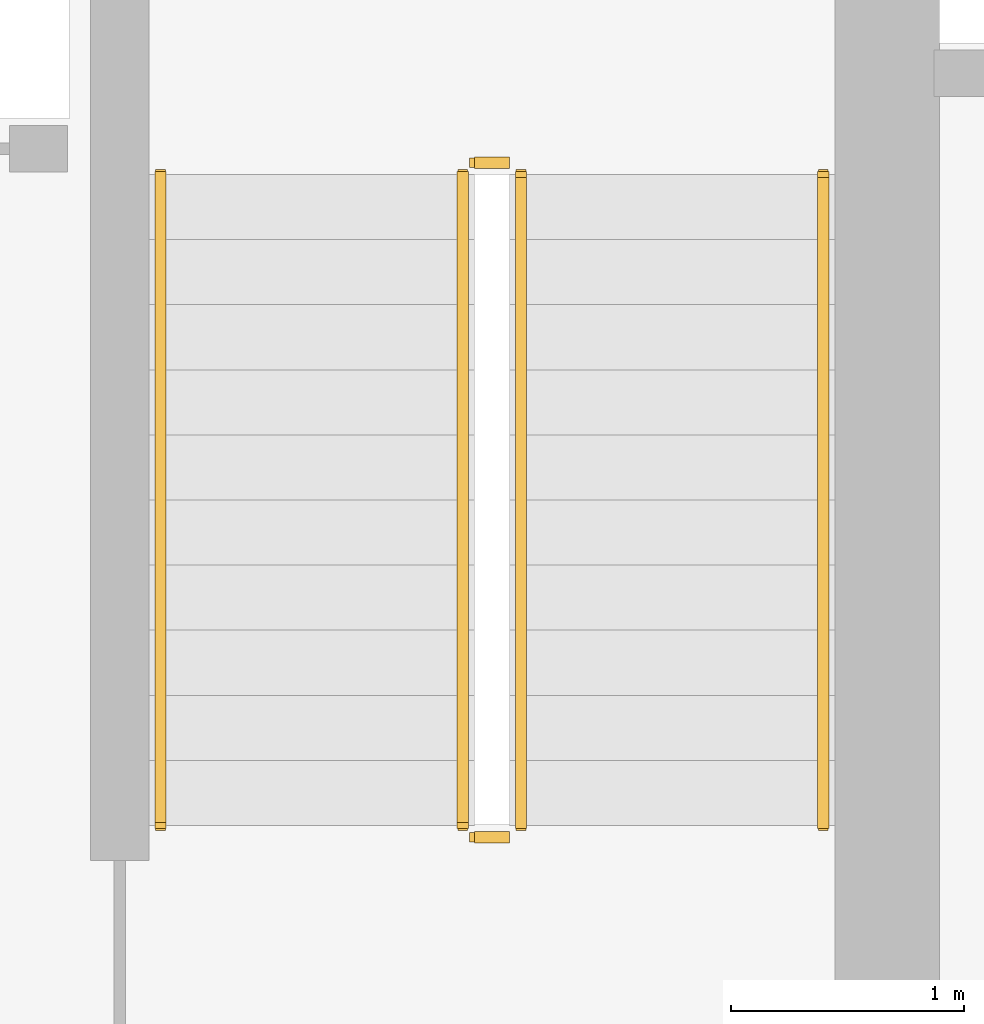
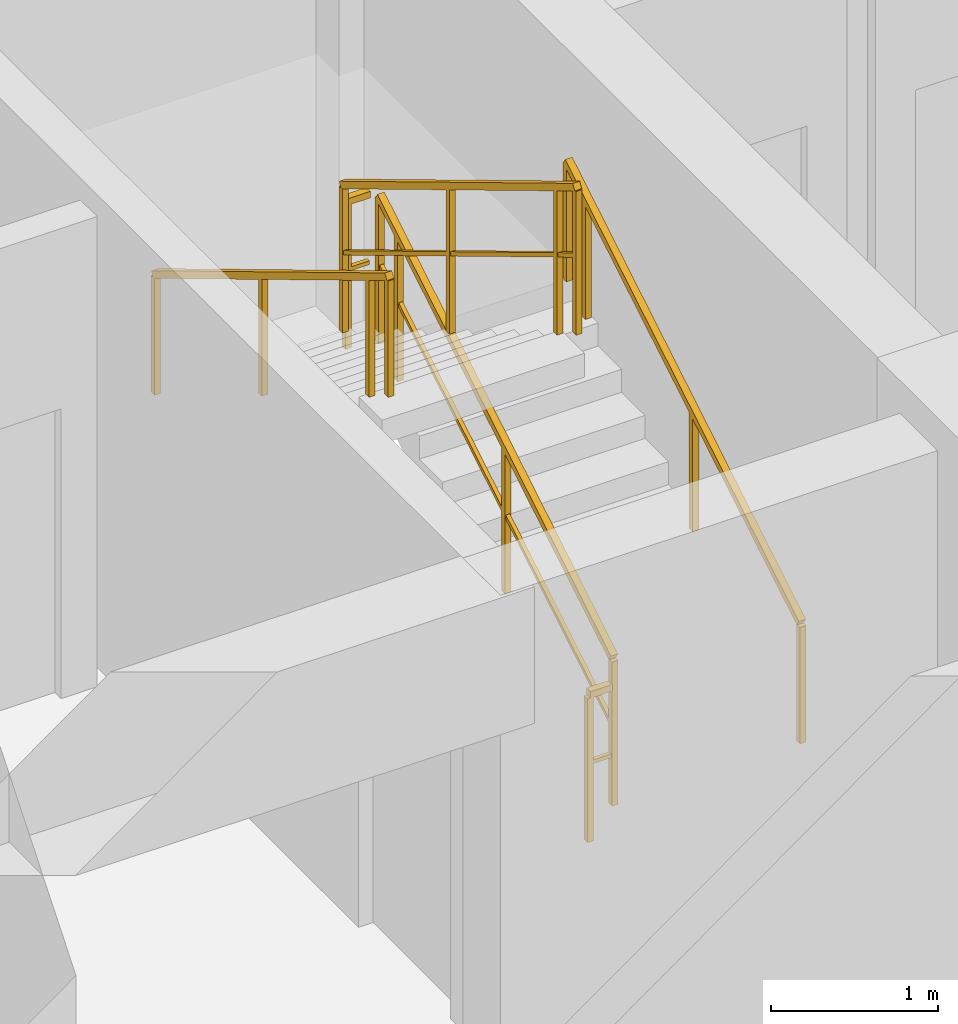
# One storey, part 11 of 12: 6 railings.
"""IFC4 building model written with IfcOpenShell, lengths in metres."""

import ifcopenshell
import ifcopenshell.guid

model = None  # the IFC model being written
_history = None  # IfcOwnerHistory: only IFC2X3 demands one
_inside = {}  # id of a spatial element -> (the spatial element, [elements in it])
_under = {}  # id of a project, library or spatial element -> (it, [spatial elements below it])
_declared = {}  # id of a project -> (the project, [libraries it declares])
_typed = {}  # id of a type object -> (the type object, [elements of that type])
_made_of = {}  # id of a material, layer set ... -> (it, [elements and type objects made of it])


def new_model(schema):
    """Start an empty IFC model of exactly this schema.

    Asked for "IFC4X3", IfcOpenShell would pick the latest addendum, in which some entities
    have other attributes; the version numbers below select the first issue.
    IFC2X3 requires an IfcOwnerHistory on every rooted entity: one is made here for all.
    """
    global model, _history
    if schema == "IFC4X3":
        model = ifcopenshell.file(schema_version=(4, 3, 0, 0))
    else:
        model = ifcopenshell.file(schema=schema)
    _inside.clear()
    _under.clear()
    _declared.clear()
    _typed.clear()
    _made_of.clear()
    _history = None
    if model.schema == "IFC2X3":
        org = make("IfcOrganization", Name="unknown")
        user = make(
            "IfcPersonAndOrganization",
            ThePerson=make("IfcPerson", FamilyName="unknown"),
            TheOrganization=org,
        )
        app = make(
            "IfcApplication",
            ApplicationDeveloper=org,
            Version="unknown",
            ApplicationFullName="unknown",
            ApplicationIdentifier="unknown",
        )
        _history = make(
            "IfcOwnerHistory",
            OwningUser=user,
            OwningApplication=app,
            ChangeAction="ADDED",
            CreationDate=0,
        )
    return model


def make(cls, **values):
    """One entity of the class cls with the attributes given. An attribute that is None is left unset."""
    return model.create_entity(
        cls, **{name: value for name, value in values.items() if value is not None}
    )


def rooted(cls, **values):
    """An entity with a GlobalId (a new one), such as an element, a storey or a relation."""
    return make(cls, GlobalId=ifcopenshell.guid.new(), OwnerHistory=_history, **values)


def si_unit(unit_type, name, prefix=None):
    """IfcSIUnit, for example si_unit("LENGTHUNIT", "METRE", prefix="MILLI")."""
    return make("IfcSIUnit", UnitType=unit_type, Prefix=prefix, Name=name)


def assignment(units):
    """IfcUnitAssignment: the units of a project."""
    return None if units is None else make("IfcUnitAssignment", Units=units)


def point(xyz):
    """IfcCartesianPoint."""
    return None if xyz is None else make("IfcCartesianPoint", Coordinates=xyz)


def direction(xyz):
    """IfcDirection."""
    return None if xyz is None else make("IfcDirection", DirectionRatios=xyz)


def frame(location, z_axis=None, x_axis=None):
    """IfcAxis2Placement3D, a coordinate frame: its origin and axes. An axis left out is left unset."""
    return make(
        "IfcAxis2Placement3D",
        Location=point(location),
        Axis=direction(z_axis),
        RefDirection=direction(x_axis),
    )


def frame_2d(location, x_axis=None):
    """IfcAxis2Placement2D, a coordinate frame in the plane: its origin and x axis."""
    return make(
        "IfcAxis2Placement2D", Location=point(location), RefDirection=direction(x_axis)
    )


def origin():
    """The frame at (0, 0, 0) with its axes left unset."""
    return frame((0.0, 0.0, 0.0))


def origin_2d():
    """The frame at (0, 0) in the plane with its x axis left unset."""
    return frame_2d((0.0, 0.0))


def place(relative_to, where):
    """IfcLocalPlacement: puts the frame where relative to a parent placement (None: the world)."""
    return make(
        "IfcLocalPlacement", PlacementRelTo=relative_to, RelativePlacement=where
    )


def context(
    kind, dimensions, precision=None, world=None, true_north=None, identifier=None
):
    """IfcGeometricRepresentationContext, for example the 3D "Model" context."""
    return make(
        "IfcGeometricRepresentationContext",
        ContextIdentifier=identifier,
        ContextType=kind,
        CoordinateSpaceDimension=dimensions,
        Precision=precision,
        WorldCoordinateSystem=world,
        TrueNorth=true_north,
    )


def subcontext(parent, identifier, kind, view, scale=None):
    """IfcGeometricRepresentationSubContext, for example "Body" below "Model"."""
    return make(
        "IfcGeometricRepresentationSubContext",
        ContextIdentifier=identifier,
        ContextType=kind,
        ParentContext=parent,
        TargetScale=scale,
        TargetView=view,
    )


def project(units=None, contexts=None):
    """IfcProject with its units and contexts."""
    return rooted(
        "IfcProject",
        Name="project",
        RepresentationContexts=contexts,
        UnitsInContext=assignment(units),
    )


def spatial(cls, under=None, at=None, **own):
    """A site, building, storey or space (cls), placed at a placement, below another one or the project."""
    s = rooted(cls, ObjectPlacement=at, **own)
    if under is not None:
        _under.setdefault(under.id(), (under, []))[1].append(s)
    return s


def profile(cls, at=None, kind="AREA", **sizes):
    """A parametric profile (cls). Its sizes go by their IFC names, for example OverallWidth=200.0."""
    return make(cls, ProfileType=kind, Position=at, **sizes)


def rectangle(**sizes):
    """IfcRectangleProfileDef."""
    return profile("IfcRectangleProfileDef", **sizes)


def extrude(swept, where, along, depth):
    """IfcExtrudedAreaSolid: the profile swept, set in the frame where, extruded along a direction by depth."""
    return make(
        "IfcExtrudedAreaSolid",
        SweptArea=swept,
        Position=where,
        ExtrudedDirection=direction(along),
        Depth=depth,
    )


def shape(context_of_items, identifier, shape_type, items):
    """IfcShapeRepresentation: the items that make up one representation, for example the "Body"."""
    return make(
        "IfcShapeRepresentation",
        ContextOfItems=context_of_items,
        RepresentationIdentifier=identifier,
        RepresentationType=shape_type,
        Items=items,
    )


def material(Name=None, Category=None):
    """IfcMaterial."""
    return make("IfcMaterial", Name=Name, Category=Category)


def made_of(thing, what):
    """Note that an element or type object is made of a material, layer set ...; save() writes the relation."""
    if what is not None:
        _made_of.setdefault(what.id(), (what, []))[1].append(thing)
    return thing


def type_object(cls, material=None, **own):
    """A type object (cls), such as IfcWallType, which elements share."""
    return made_of(rooted(cls, **own), material)


def element(
    cls,
    number,
    at=None,
    inside=None,
    cuts=None,
    type_object=None,
    material=None,
    context=None,
    identifier="Body",
    shape_type=None,
    held_by="IfcProductDefinitionShape",
    body=None,
    shapes=None,
    **own,
):
    """One element of the class cls, such as IfcWall. Its Tag is "e" and its number.

    at: its placement. inside: the storey or other place that contains it. cuts: it is an
    opening in that element (IfcRelVoidsElement). A single representation is given by context,
    identifier, shape_type and body (its items); several are given by shapes. held_by: the class
    of the entity that holds the representations. save() writes the other relations.
    """
    e = rooted(cls, Tag="e%d" % number, ObjectPlacement=at, **own)
    if body is not None:
        shapes = [shape(context, identifier, shape_type, body)]
    if shapes is not None:
        e.Representation = make(held_by, Representations=shapes)
    if inside is not None:
        _inside.setdefault(inside.id(), (inside, []))[1].append(e)
    if cuts is not None:
        rooted(
            "IfcRelVoidsElement", RelatingBuildingElement=cuts, RelatedOpeningElement=e
        )
    if type_object is not None:
        _typed.setdefault(type_object.id(), (type_object, []))[1].append(e)
    return made_of(e, material)


def aggregate(whole, parts):
    """IfcRelAggregates: a whole, such as a stair, and the parts it consists of."""
    return rooted("IfcRelAggregates", RelatingObject=whole, RelatedObjects=parts)


def save(model, path):
    """Write the relations noted so far, then the file.

    IfcRelAggregates (storeys below a building ...), IfcRelContainedInSpatialStructure (elements
    in a storey), IfcRelDefinesByType, IfcRelAssociatesMaterial and IfcRelDeclares: one each for
    every whole, place, type object, material and project.
    """
    for whole, parts in _under.values():
        aggregate(whole, parts)
    for where, things in _inside.values():
        rooted(
            "IfcRelContainedInSpatialStructure",
            RelatedElements=things,
            RelatingStructure=where,
        )
    for kind, things in _typed.values():
        rooted("IfcRelDefinesByType", RelatedObjects=things, RelatingType=kind)
    for what, things in _made_of.values():
        rooted("IfcRelAssociatesMaterial", RelatedObjects=things, RelatingMaterial=what)
    for by, libraries in _declared.values():
        rooted("IfcRelDeclares", RelatingContext=by, RelatedDefinitions=libraries)
    model.write(path)


model = new_model("IFC4")

# Units and contexts
model_context = context("Model", 3, precision=1e-05, world=origin(), true_north=direction((0.0, 1.0)))
body_context = subcontext(model_context, "Body", "Model", "MODEL_VIEW")
ifc_project = project(units=[si_unit("LENGTHUNIT", "METRE"), si_unit("AREAUNIT", "SQUARE_METRE"), si_unit("VOLUMEUNIT", "CUBIC_METRE"), si_unit("PLANEANGLEUNIT", "RADIAN"), si_unit("MASSUNIT", "GRAM", prefix="KILO")], contexts=[model_context])

# Site, building, storey
site_placement = place(None, origin())
site = spatial("IfcSite", under=ifc_project, at=site_placement, CompositionType="ELEMENT")
building_placement = place(site_placement, origin())
building = spatial("IfcBuilding", under=site, at=building_placement, Name="Kaliganga Portal Commons", CompositionType="ELEMENT")
storey_placement = place(building_placement, frame((0.0, 0.0, 147.60009765625)))
storey = spatial("IfcBuildingStorey", under=building, at=storey_placement, Name="L37", CompositionType="ELEMENT", Elevation=147.60009765625)

# Railings
ifc_material_1 = material(Name="Galvanized Painted Steel Balustrade", Category="steel")
railing_type_1 = type_object("IfcRailingType", Name="RLG-STAIR-GRD", PredefinedType="GUARDRAIL", material=ifc_material_1)
railing_1_placement = place(storey_placement, frame((48.699951171875, 8.699951171875, 0.16796875)))
element("IfcRailing", 1, at=railing_1_placement, inside=storey, type_object=railing_type_1, Name="L37 ST-B2 stair guard 1", PredefinedType="GUARDRAIL", context=body_context, shape_type="SweptSolid", body=[
    extrude(rectangle(XDim=0.048095703125, YDim=0.048095703125, at=origin_2d()), frame((0.0, 0.0, 1.072021484375), z_axis=(0.0, 0.857242210791, 0.514913383045), x_axis=(-1.0, 0.0, 0.0)), (0.0, 0.0, 1.0), 3.266357421875),
    extrude(rectangle(XDim=0.028076171875, YDim=0.028076171875, at=origin_2d()), frame((0.0, 0.0, 0.572021484375), z_axis=(0.0, 0.857242210791, 0.514913383045), x_axis=(-1.0, 0.0, 0.0)), (0.0, 0.0, 1.0), 3.266357421875),
    extrude(rectangle(XDim=0.0419921875, YDim=0.0419921875, at=origin_2d()), origin(), (0.0, 0.0, 1.0), 1.052001953125),
    extrude(rectangle(XDim=0.0419921875, YDim=0.0419921875, at=origin_2d()), frame((0.0, 1.285888671875, 0.7724609375)), (0.0, 0.0, 1.0), 1.052001953125),
    extrude(rectangle(XDim=0.0419921875, YDim=0.0419921875, at=origin_2d()), frame((0.0, 2.57177734375, 1.544677734375)), (0.0, 0.0, 1.0), 1.052001953125),
    extrude(rectangle(XDim=0.0419921875, YDim=0.0419921875, at=origin_2d()), frame((0.0, 2.800048828125, 1.681884765625)), (0.0, 0.0, 1.0), 1.052001953125),
])
railing_2_placement = place(storey_placement, frame((48.64990234375, 11.550048828125, 1.849853515625)))
element("IfcRailing", 2, at=railing_2_placement, inside=storey, type_object=railing_type_1, Name="L37 ST-B2 stair guard 2", PredefinedType="GUARDRAIL", context=body_context, shape_type="SweptSolid", body=[
    extrude(rectangle(XDim=0.048095703125, YDim=0.048095703125, at=origin_2d()), frame((0.0, 0.0, 1.076171875), z_axis=(-1.0, 0.0, 0.0), x_axis=(0.0, -1.0, 0.0)), (0.0, 0.0, 1.0), 0.14990234375),
    extrude(rectangle(XDim=0.028076171875, YDim=0.028076171875, at=origin_2d()), frame((0.0, 0.0, 0.572021484375), z_axis=(-1.0, 0.0, 0.0), x_axis=(0.0, -1.0, 0.0)), (0.0, 0.0, 1.0), 0.14990234375),
    extrude(rectangle(XDim=0.0419921875, YDim=0.0419921875, at=origin_2d()), frame((-0.14990234375, 0.0, 0.0)), (0.0, 0.0, 1.0), 1.052001953125),
])
railing_3_placement = place(storey_placement, frame((48.449951171875, 11.5, 2.01806640625)))
element("IfcRailing", 3, at=railing_3_placement, inside=storey, type_object=railing_type_1, Name="L37 ST-B2 stair guard 3", PredefinedType="GUARDRAIL", context=body_context, shape_type="SweptSolid", body=[
    extrude(rectangle(XDim=0.048095703125, YDim=0.048095703125, at=origin_2d()), frame((0.0, 0.0, 1.072021484375), z_axis=(0.0, -0.857242210791, 0.514913383045), x_axis=(1.0, 0.0, 0.0)), (0.0, 0.0, 1.0), 3.266357421875),
    extrude(rectangle(XDim=0.028076171875, YDim=0.028076171875, at=origin_2d()), frame((0.0, 0.0, 0.572021484375), z_axis=(0.0, -0.857242210791, 0.514913383045), x_axis=(1.0, 0.0, 0.0)), (0.0, 0.0, 1.0), 3.266357421875),
    extrude(rectangle(XDim=0.0419921875, YDim=0.0419921875, at=origin_2d()), origin(), (0.0, 0.0, 1.0), 1.052001953125),
    extrude(rectangle(XDim=0.0419921875, YDim=0.0419921875, at=origin_2d()), frame((0.0, -1.285888671875, 0.7724609375)), (0.0, 0.0, 1.0), 1.052001953125),
    extrude(rectangle(XDim=0.0419921875, YDim=0.0419921875, at=origin_2d()), frame((0.0, -2.57177734375, 1.544677734375)), (0.0, 0.0, 1.0), 1.052001953125),
    extrude(rectangle(XDim=0.0419921875, YDim=0.0419921875, at=origin_2d()), frame((0.0, -2.800048828125, 1.681884765625)), (0.0, 0.0, 1.0), 1.052001953125),
])
railing_4_placement = place(storey_placement, frame((48.64990234375, 8.64990234375, 0.0)))
element("IfcRailing", 4, at=railing_4_placement, inside=storey, type_object=railing_type_1, Name="L37 ST-B2 stair guard 4", PredefinedType="GUARDRAIL", context=body_context, shape_type="SweptSolid", body=[
    extrude(rectangle(XDim=0.048095703125, YDim=0.048095703125, at=origin_2d()), frame((0.0, 0.0, 1.076171875), z_axis=(-1.0, 0.0, 0.0), x_axis=(0.0, -1.0, 0.0)), (0.0, 0.0, 1.0), 0.14990234375),
    extrude(rectangle(XDim=0.028076171875, YDim=0.028076171875, at=origin_2d()), frame((0.0, 0.0, 0.572021484375), z_axis=(-1.0, 0.0, 0.0), x_axis=(0.0, -1.0, 0.0)), (0.0, 0.0, 1.0), 0.14990234375),
    extrude(rectangle(XDim=0.0419921875, YDim=0.0419921875, at=origin_2d()), frame((-0.14990234375, 0.0, 0.0)), (0.0, 0.0, 1.0), 1.052001953125),
])
ifc_material_2 = material(Name="Brushed Stainless Steel 316", Category="steel")
railing_type_2 = type_object("IfcRailingType", Name="RLG-STAIR-HR", PredefinedType="HANDRAIL", material=ifc_material_2)
railing_5_placement = place(storey_placement, frame((50.0, 8.699951171875, 0.16796875)))
element("IfcRailing", 5, at=railing_5_placement, inside=storey, type_object=railing_type_2, Name="L37 ST-B2 stair handrail 1", PredefinedType="HANDRAIL", context=body_context, shape_type="SweptSolid", body=[
    extrude(rectangle(XDim=0.048095703125, YDim=0.048095703125, at=origin_2d()), frame((0.0, 0.0, 0.871826171875), z_axis=(0.0, 0.857242210791, 0.514913383045), x_axis=(-1.0, 0.0, 0.0)), (0.0, 0.0, 1.0), 3.266357421875),
    extrude(rectangle(XDim=0.0419921875, YDim=0.0419921875, at=origin_2d()), origin(), (0.0, 0.0, 1.0), 0.851806640625),
    extrude(rectangle(XDim=0.0419921875, YDim=0.0419921875, at=origin_2d()), frame((0.0, 1.285888671875, 0.7724609375)), (0.0, 0.0, 1.0), 0.851806640625),
    extrude(rectangle(XDim=0.0419921875, YDim=0.0419921875, at=origin_2d()), frame((0.0, 2.57177734375, 1.544677734375)), (0.0, 0.0, 1.0), 0.851806640625),
    extrude(rectangle(XDim=0.0419921875, YDim=0.0419921875, at=origin_2d()), frame((0.0, 2.800048828125, 1.681884765625)), (0.0, 0.0, 1.0), 0.851806640625),
])
railing_6_placement = place(storey_placement, frame((47.14990234375, 11.5, 2.01806640625)))
element("IfcRailing", 6, at=railing_6_placement, inside=storey, type_object=railing_type_2, Name="L37 ST-B2 stair handrail 2", PredefinedType="HANDRAIL", context=body_context, shape_type="SweptSolid", body=[
    extrude(rectangle(XDim=0.048095703125, YDim=0.048095703125, at=origin_2d()), frame((0.0, 0.0, 0.871826171875), z_axis=(0.0, -0.857242210791, 0.514913383045), x_axis=(1.0, 0.0, 0.0)), (0.0, 0.0, 1.0), 3.266357421875),
    extrude(rectangle(XDim=0.0419921875, YDim=0.0419921875, at=origin_2d()), origin(), (0.0, 0.0, 1.0), 0.851806640625),
    extrude(rectangle(XDim=0.0419921875, YDim=0.0419921875, at=origin_2d()), frame((0.0, -1.285888671875, 0.7724609375)), (0.0, 0.0, 1.0), 0.851806640625),
    extrude(rectangle(XDim=0.0419921875, YDim=0.0419921875, at=origin_2d()), frame((0.0, -2.57177734375, 1.544677734375)), (0.0, 0.0, 1.0), 0.851806640625),
    extrude(rectangle(XDim=0.0419921875, YDim=0.0419921875, at=origin_2d()), frame((0.0, -2.800048828125, 1.681884765625)), (0.0, 0.0, 1.0), 0.851806640625),
])

save(model, "model.ifc")
